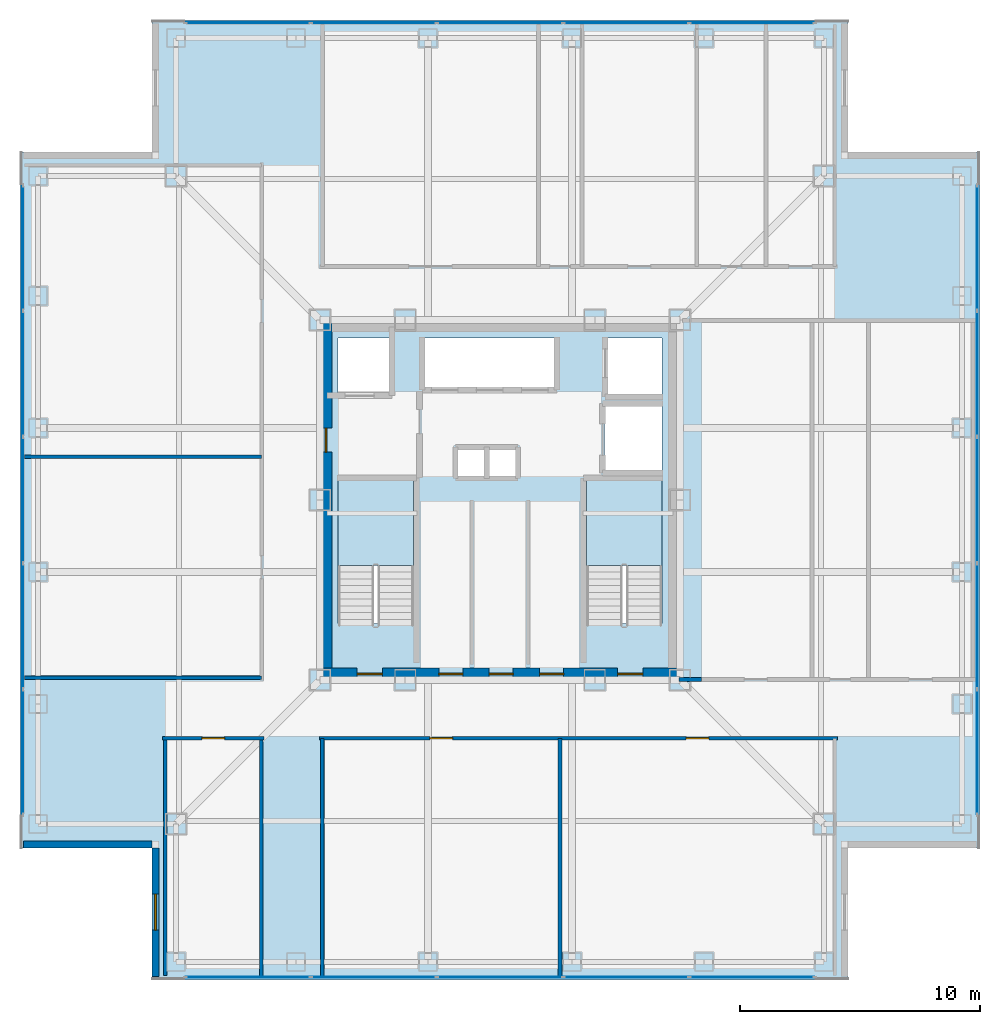
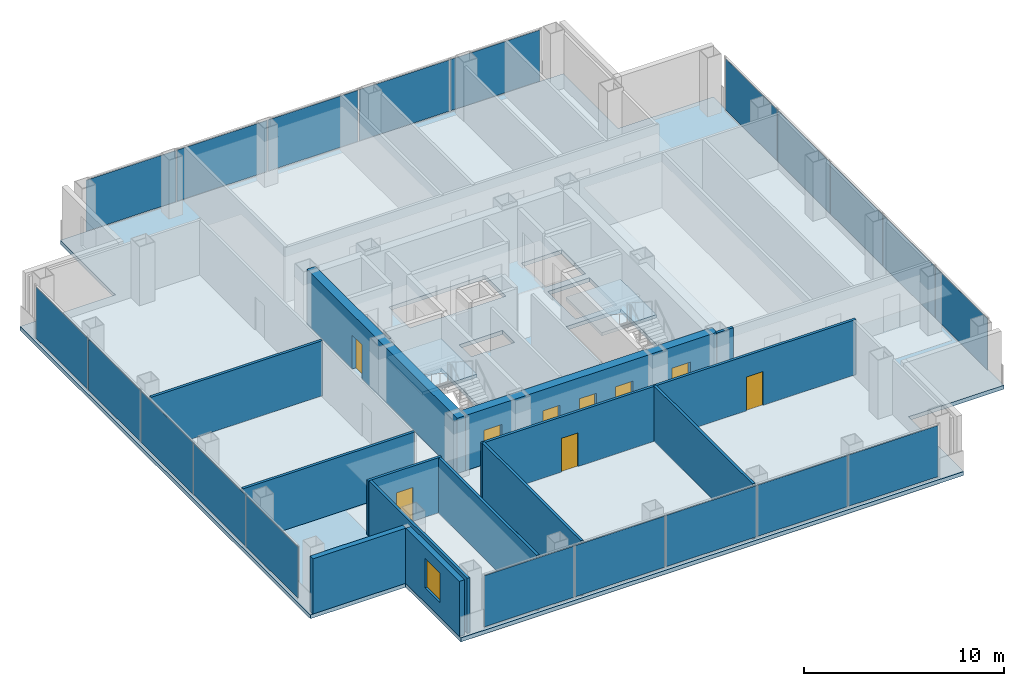
# One storey, part 10 of 18: 20 plates, 13 walls, 9 doors, 3 slabs, 1 window, 10 openings, 6 elements without a shape of their own.
"""IFC4 building model written with IfcOpenShell, lengths in metres."""

from ifc_helpers import new_model, si_unit, direction, frame, frame_2d, origin, origin_2d, place, context, subcontext, project, spatial, polyline, rectangle, outline, extrude, material, layer, layer_set, type_object, element, fill, aggregate, save


model = new_model("IFC4")

# Units and contexts
model_context = context("Model", 3, precision=1e-05, world=origin(), true_north=direction((0.0, 1.0)))
body_context = subcontext(model_context, "Body", "Model", "MODEL_VIEW")
ifc_project = project(units=[si_unit("LENGTHUNIT", "METRE"), si_unit("AREAUNIT", "SQUARE_METRE"), si_unit("VOLUMEUNIT", "CUBIC_METRE"), si_unit("PLANEANGLEUNIT", "RADIAN"), si_unit("MASSUNIT", "GRAM", prefix="KILO")], contexts=[model_context])

# Site, building, storey
site_placement = place(None, origin())
site = spatial("IfcSite", under=ifc_project, at=site_placement, CompositionType="ELEMENT")
building_placement = place(site_placement, origin())
building = spatial("IfcBuilding", under=site, at=building_placement, Name="Trevonay Congress Spire", CompositionType="ELEMENT")
storey_placement = place(building_placement, frame((0.0, 0.0, 220.199951171875)))
storey = spatial("IfcBuildingStorey", under=building, at=storey_placement, Name="L57", CompositionType="ELEMENT", Elevation=220.199951171875)

# Curtain wall, plates
ifc_material_1 = material(Name="Pale Anodised Aluminium EN AW-6063-T6", Category="aluminium")
ifc_layer_1 = layer(ifc_material_1, 0.169921875, Name="Pale Anodised Aluminium EN AW-6063-T6")
ifc_layer_set_1 = layer_set([ifc_layer_1], Name="Pale Anodised Aluminium EN AW-6063-T6")
curtain_wall_type = type_object("IfcCurtainWallType", Name="CW-SYS04-CORP-PALE-METAL", PredefinedType="NOTDEFINED", material=ifc_layer_set_1)
curtain_wall_1_placement = place(storey_placement, origin())
curtain_wall_1 = element("IfcCurtainWall", 1, at=curtain_wall_1_placement, inside=storey, type_object=curtain_wall_type, Name="L57 S unitised curtain wall", PredefinedType="NOTDEFINED")
ifc_material_2 = material(Name="Insulated Low-E Vision Glass IGU", Category="glass")
ifc_layer_2 = layer(ifc_material_2, 0.035888671875, Name="Insulated Low-E Vision Glass IGU")
ifc_layer_set_2 = layer_set([ifc_layer_2], Name="Insulated Low-E Vision Glass IGU")
plate_type = type_object("IfcPlateType", Name="CW-PANEL-IGU36-SILVER", PredefinedType="CURTAIN_PANEL", material=ifc_layer_set_2)
plate_1_placement = place(storey_placement, frame((-10.5048828125, -19.8798828125, 0.119873046875), z_axis=(0.0, 0.0, 1.0), x_axis=(1.0, 0.0, 0.0)))
plate_1 = element("IfcPlate", 2, at=plate_1_placement, type_object=plate_type, Name="CW04 panel 1.1", PredefinedType="CURTAIN_PANEL", context=body_context, shape_type="SweptSolid", body=[
    extrude(rectangle(XDim=5.169921875, YDim=0.035888671875, at=origin_2d()), origin(), (0.0, 0.0, 1.0), 3.1201171875),
])
plate_2_placement = place(storey_placement, frame((-5.260009765625, -19.8798828125, 0.119873046875), z_axis=(0.0, 0.0, 1.0), x_axis=(1.0, 0.0, 0.0)))
plate_2 = element("IfcPlate", 3, at=plate_2_placement, type_object=plate_type, Name="CW04 panel 2.1", PredefinedType="CURTAIN_PANEL", context=body_context, shape_type="SweptSolid", body=[
    extrude(rectangle(XDim=5.199951171875, YDim=0.035888671875, at=origin_2d()), origin(), (0.0, 0.0, 1.0), 3.1201171875),
])
plate_3_placement = place(storey_placement, frame((0.0, -19.8798828125, 0.119873046875), z_axis=(0.0, 0.0, 1.0), x_axis=(1.0, 0.0, 0.0)))
plate_3 = element("IfcPlate", 4, at=plate_3_placement, type_object=plate_type, Name="CW04 panel 3.1", PredefinedType="CURTAIN_PANEL", context=body_context, shape_type="SweptSolid", body=[
    extrude(rectangle(XDim=5.199951171875, YDim=0.035888671875, at=origin_2d()), origin(), (0.0, 0.0, 1.0), 3.1201171875),
])
plate_4_placement = place(storey_placement, frame((5.260009765625, -19.8798828125, 0.119873046875), z_axis=(0.0, 0.0, 1.0), x_axis=(1.0, 0.0, 0.0)))
plate_4 = element("IfcPlate", 5, at=plate_4_placement, type_object=plate_type, Name="CW04 panel 4.1", PredefinedType="CURTAIN_PANEL", context=body_context, shape_type="SweptSolid", body=[
    extrude(rectangle(XDim=5.199951171875, YDim=0.035888671875, at=origin_2d()), origin(), (0.0, 0.0, 1.0), 3.1201171875),
])
plate_5_placement = place(storey_placement, frame((10.5048828125, -19.8798828125, 0.119873046875), z_axis=(0.0, 0.0, 1.0), x_axis=(1.0, 0.0, 0.0)))
plate_5 = element("IfcPlate", 6, at=plate_5_placement, type_object=plate_type, Name="CW04 panel 5.1", PredefinedType="CURTAIN_PANEL", context=body_context, shape_type="SweptSolid", body=[
    extrude(rectangle(XDim=5.169921875, YDim=0.035888671875, at=origin_2d()), origin(), (0.0, 0.0, 1.0), 3.1201171875),
])
aggregate(curtain_wall_1, [plate_1, plate_2, plate_3, plate_4, plate_5])

curtain_wall_2_placement = place(storey_placement, origin())
curtain_wall_2 = element("IfcCurtainWall", 7, at=curtain_wall_2_placement, inside=storey, type_object=curtain_wall_type, Name="L57 N unitised curtain wall", PredefinedType="NOTDEFINED")
plate_6_placement = place(storey_placement, frame((-10.5048828125, 19.8798828125, 0.119873046875), z_axis=(0.0, 0.0, 1.0), x_axis=(1.0, 0.0, 0.0)))
plate_6 = element("IfcPlate", 8, at=plate_6_placement, type_object=plate_type, Name="CW04 panel 1.1", PredefinedType="CURTAIN_PANEL", context=body_context, shape_type="SweptSolid", body=[
    extrude(rectangle(XDim=5.169921875, YDim=0.035888671875, at=origin_2d()), origin(), (0.0, 0.0, 1.0), 3.1201171875),
])
plate_7_placement = place(storey_placement, frame((-5.260009765625, 19.8798828125, 0.119873046875), z_axis=(0.0, 0.0, 1.0), x_axis=(1.0, 0.0, 0.0)))
plate_7 = element("IfcPlate", 9, at=plate_7_placement, type_object=plate_type, Name="CW04 panel 2.1", PredefinedType="CURTAIN_PANEL", context=body_context, shape_type="SweptSolid", body=[
    extrude(rectangle(XDim=5.199951171875, YDim=0.035888671875, at=origin_2d()), origin(), (0.0, 0.0, 1.0), 3.1201171875),
])
plate_8_placement = place(storey_placement, frame((0.0, 19.8798828125, 0.119873046875), z_axis=(0.0, 0.0, 1.0), x_axis=(1.0, 0.0, 0.0)))
plate_8 = element("IfcPlate", 10, at=plate_8_placement, type_object=plate_type, Name="CW04 panel 3.1", PredefinedType="CURTAIN_PANEL", context=body_context, shape_type="SweptSolid", body=[
    extrude(rectangle(XDim=5.199951171875, YDim=0.035888671875, at=origin_2d()), origin(), (0.0, 0.0, 1.0), 3.1201171875),
])
plate_9_placement = place(storey_placement, frame((5.260009765625, 19.8798828125, 0.119873046875), z_axis=(0.0, 0.0, 1.0), x_axis=(1.0, 0.0, 0.0)))
plate_9 = element("IfcPlate", 11, at=plate_9_placement, type_object=plate_type, Name="CW04 panel 4.1", PredefinedType="CURTAIN_PANEL", context=body_context, shape_type="SweptSolid", body=[
    extrude(rectangle(XDim=5.199951171875, YDim=0.035888671875, at=origin_2d()), origin(), (0.0, 0.0, 1.0), 3.1201171875),
])
plate_10_placement = place(storey_placement, frame((10.5048828125, 19.8798828125, 0.119873046875), z_axis=(0.0, 0.0, 1.0), x_axis=(1.0, 0.0, 0.0)))
plate_10 = element("IfcPlate", 12, at=plate_10_placement, type_object=plate_type, Name="CW04 panel 5.1", PredefinedType="CURTAIN_PANEL", context=body_context, shape_type="SweptSolid", body=[
    extrude(rectangle(XDim=5.169921875, YDim=0.035888671875, at=origin_2d()), origin(), (0.0, 0.0, 1.0), 3.1201171875),
])
aggregate(curtain_wall_2, [plate_6, plate_7, plate_8, plate_9, plate_10])

curtain_wall_3_placement = place(storey_placement, origin())
curtain_wall_3 = element("IfcCurtainWall", 13, at=curtain_wall_3_placement, inside=storey, type_object=curtain_wall_type, Name="L57 W unitised curtain wall", PredefinedType="NOTDEFINED")
plate_11_placement = place(storey_placement, frame((-19.8798828125, -10.5048828125, 0.119873046875), z_axis=(0.0, 0.0, 1.0), x_axis=(0.0, 1.0, 0.0)))
plate_11 = element("IfcPlate", 14, at=plate_11_placement, type_object=plate_type, Name="CW04 panel 1.1", PredefinedType="CURTAIN_PANEL", context=body_context, shape_type="SweptSolid", body=[
    extrude(rectangle(XDim=5.169921875, YDim=0.035888671875, at=origin_2d()), origin(), (0.0, 0.0, 1.0), 3.1201171875),
])
plate_12_placement = place(storey_placement, frame((-19.8798828125, -5.260009765625, 0.119873046875), z_axis=(0.0, 0.0, 1.0), x_axis=(0.0, 1.0, 0.0)))
plate_12 = element("IfcPlate", 15, at=plate_12_placement, type_object=plate_type, Name="CW04 panel 2.1", PredefinedType="CURTAIN_PANEL", context=body_context, shape_type="SweptSolid", body=[
    extrude(rectangle(XDim=5.199951171875, YDim=0.035888671875, at=origin_2d()), origin(), (0.0, 0.0, 1.0), 3.1201171875),
])
plate_13_placement = place(storey_placement, frame((-19.8798828125, 0.0, 0.119873046875), z_axis=(0.0, 0.0, 1.0), x_axis=(0.0, 1.0, 0.0)))
plate_13 = element("IfcPlate", 16, at=plate_13_placement, type_object=plate_type, Name="CW04 panel 3.1", PredefinedType="CURTAIN_PANEL", context=body_context, shape_type="SweptSolid", body=[
    extrude(rectangle(XDim=5.199951171875, YDim=0.035888671875, at=origin_2d()), origin(), (0.0, 0.0, 1.0), 3.1201171875),
])
plate_14_placement = place(storey_placement, frame((-19.8798828125, 5.260009765625, 0.119873046875), z_axis=(0.0, 0.0, 1.0), x_axis=(0.0, 1.0, 0.0)))
plate_14 = element("IfcPlate", 17, at=plate_14_placement, type_object=plate_type, Name="CW04 panel 4.1", PredefinedType="CURTAIN_PANEL", context=body_context, shape_type="SweptSolid", body=[
    extrude(rectangle(XDim=5.199951171875, YDim=0.035888671875, at=origin_2d()), origin(), (0.0, 0.0, 1.0), 3.1201171875),
])
plate_15_placement = place(storey_placement, frame((-19.8798828125, 10.5048828125, 0.119873046875), z_axis=(0.0, 0.0, 1.0), x_axis=(0.0, 1.0, 0.0)))
plate_15 = element("IfcPlate", 18, at=plate_15_placement, type_object=plate_type, Name="CW04 panel 5.1", PredefinedType="CURTAIN_PANEL", context=body_context, shape_type="SweptSolid", body=[
    extrude(rectangle(XDim=5.169921875, YDim=0.035888671875, at=origin_2d()), origin(), (0.0, 0.0, 1.0), 3.1201171875),
])
aggregate(curtain_wall_3, [plate_11, plate_12, plate_13, plate_14, plate_15])

curtain_wall_4_placement = place(storey_placement, origin())
curtain_wall_4 = element("IfcCurtainWall", 19, at=curtain_wall_4_placement, inside=storey, type_object=curtain_wall_type, Name="L57 E unitised curtain wall", PredefinedType="NOTDEFINED")
plate_16_placement = place(storey_placement, frame((19.8798828125, -10.5048828125, 0.119873046875), z_axis=(0.0, 0.0, 1.0), x_axis=(0.0, 1.0, 0.0)))
plate_16 = element("IfcPlate", 20, at=plate_16_placement, type_object=plate_type, Name="CW04 panel 1.1", PredefinedType="CURTAIN_PANEL", context=body_context, shape_type="SweptSolid", body=[
    extrude(rectangle(XDim=5.169921875, YDim=0.035888671875, at=origin_2d()), origin(), (0.0, 0.0, 1.0), 3.1201171875),
])
plate_17_placement = place(storey_placement, frame((19.8798828125, -5.260009765625, 0.119873046875), z_axis=(0.0, 0.0, 1.0), x_axis=(0.0, 1.0, 0.0)))
plate_17 = element("IfcPlate", 21, at=plate_17_placement, type_object=plate_type, Name="CW04 panel 2.1", PredefinedType="CURTAIN_PANEL", context=body_context, shape_type="SweptSolid", body=[
    extrude(rectangle(XDim=5.199951171875, YDim=0.035888671875, at=origin_2d()), origin(), (0.0, 0.0, 1.0), 3.1201171875),
])
plate_18_placement = place(storey_placement, frame((19.8798828125, 0.0, 0.119873046875), z_axis=(0.0, 0.0, 1.0), x_axis=(0.0, 1.0, 0.0)))
plate_18 = element("IfcPlate", 22, at=plate_18_placement, type_object=plate_type, Name="CW04 panel 3.1", PredefinedType="CURTAIN_PANEL", context=body_context, shape_type="SweptSolid", body=[
    extrude(rectangle(XDim=5.199951171875, YDim=0.035888671875, at=origin_2d()), origin(), (0.0, 0.0, 1.0), 3.1201171875),
])
plate_19_placement = place(storey_placement, frame((19.8798828125, 5.260009765625, 0.119873046875), z_axis=(0.0, 0.0, 1.0), x_axis=(0.0, 1.0, 0.0)))
plate_19 = element("IfcPlate", 23, at=plate_19_placement, type_object=plate_type, Name="CW04 panel 4.1", PredefinedType="CURTAIN_PANEL", context=body_context, shape_type="SweptSolid", body=[
    extrude(rectangle(XDim=5.199951171875, YDim=0.035888671875, at=origin_2d()), origin(), (0.0, 0.0, 1.0), 3.1201171875),
])
plate_20_placement = place(storey_placement, frame((19.8798828125, 10.5048828125, 0.119873046875), z_axis=(0.0, 0.0, 1.0), x_axis=(0.0, 1.0, 0.0)))
plate_20 = element("IfcPlate", 24, at=plate_20_placement, type_object=plate_type, Name="CW04 panel 5.1", PredefinedType="CURTAIN_PANEL", context=body_context, shape_type="SweptSolid", body=[
    extrude(rectangle(XDim=5.169921875, YDim=0.035888671875, at=origin_2d()), origin(), (0.0, 0.0, 1.0), 3.1201171875),
])
aggregate(curtain_wall_4, [plate_16, plate_17, plate_18, plate_19, plate_20])

# Stair, slab
ifc_material_3 = material(Name="Concrete C40/50", Category="concrete")
stair_type_1 = type_object("IfcStairType", Name="STR-ST-1", PredefinedType="HALF_TURN_STAIR", material=ifc_material_3)
stair_1_placement = place(storey_placement, origin())
stair_1 = element("IfcStair", 25, at=stair_1_placement, inside=storey, type_object=stair_type_1, Name="L57 Protected Exit Stair ST-1", PredefinedType="HALF_TURN_STAIR")
ifc_layer_3 = layer(ifc_material_3, 0.199951171875, Name="Concrete C40/50")
ifc_layer_set_3 = layer_set([ifc_layer_3], Name="Concrete C40/50")
slab_type_1 = type_object("IfcSlabType", Name="SLB-STAIR-LAND-200", PredefinedType="LANDING", material=ifc_layer_set_3)
slab_1_placement = place(storey_placement, frame((0.0, 0.0, 1.60009765625)))
slab_1 = element("IfcSlab", 26, at=slab_1_placement, type_object=slab_type_1, Name="ST-1 landing 1", PredefinedType="LANDING", context=body_context, shape_type="SweptSolid", body=[
    extrude(outline(polyline([(-3.60009765625, -2.72998046875), (-3.60009765625, 0.85009765625), (-6.75, 0.85009765625), (-6.75, -2.72998046875), (-3.60009765625, -2.72998046875)])), origin(), (0.0, 0.0, 1.0), 0.199951171875),
])
aggregate(stair_1, [slab_1])

stair_type_2 = type_object("IfcStairType", Name="STR-ST-2", PredefinedType="HALF_TURN_STAIR", material=ifc_material_3)
stair_2_placement = place(storey_placement, origin())
stair_2 = element("IfcStair", 27, at=stair_2_placement, inside=storey, type_object=stair_type_2, Name="L57 Protected Exit Stair ST-2", PredefinedType="HALF_TURN_STAIR")
slab_2_placement = place(storey_placement, frame((0.0, 0.0, 1.60009765625)))
slab_2 = element("IfcSlab", 28, at=slab_2_placement, type_object=slab_type_1, Name="ST-2 landing 1", PredefinedType="LANDING", context=body_context, shape_type="SweptSolid", body=[
    extrude(outline(polyline([(6.75, -2.72998046875), (6.75, 0.85009765625), (3.60009765625, 0.85009765625), (3.60009765625, -2.72998046875), (6.75, -2.72998046875)])), origin(), (0.0, 0.0, 1.0), 0.199951171875),
])
aggregate(stair_2, [slab_2])

# Slab
ifc_layer_4 = layer(ifc_material_3, 0.239990234375, Name="Concrete C40/50")
ifc_layer_set_4 = layer_set([ifc_layer_4], Name="Concrete C40/50")
slab_type_2 = type_object("IfcSlabType", Name="SLB-TOW2-240", PredefinedType="FLOOR", material=ifc_layer_set_4)
slab_3_placement = place(storey_placement, frame((0.0, 0.0, -0.239990234375)))
element("IfcSlab", 29, at=slab_3_placement, inside=storey, type_object=slab_type_2, Name="L57 structural floor slab", PredefinedType="FLOOR", context=body_context, shape_type="SweptSolid", body=[
    extrude(outline(polyline([(-14.5, -20.0), (14.5, -20.0), (14.5, -14.5), (20.0, -14.5), (20.0, 14.5), (14.5, 14.5), (14.5, 20.0), (-14.5, 20.0), (-14.5, 14.5), (-20.0, 14.5), (-20.0, -14.5), (-14.5, -14.5), (-14.5, -20.0)]), holes=[polyline([(-3.60009765625, -5.14990234375), (-3.60009765625, 0.85009765625), (-6.75, 0.85009765625), (-6.75, -5.14990234375), (-3.60009765625, -5.14990234375)]), polyline([(6.75, -5.14990234375), (6.75, 0.85009765625), (3.60009765625, 0.85009765625), (3.60009765625, -5.14990234375), (6.75, -5.14990234375)]), polyline([(-3.199951171875, 4.64990234375), (2.340087890625, 4.64990234375), (2.340087890625, 6.75), (-3.199951171875, 6.75), (-3.199951171875, 4.64990234375)]), polyline([(-6.75, 4.35009765625), (-4.449951171875, 4.35009765625), (-4.449951171875, 6.75), (-6.75, 6.75), (-6.75, 4.35009765625)]), polyline([(4.449951171875, 4.35009765625), (6.75, 4.35009765625), (6.75, 6.75), (4.449951171875, 6.75), (4.449951171875, 4.35009765625)]), polyline([(4.35009765625, 1.199951171875), (6.75, 1.199951171875), (6.75, 3.949951171875), (4.35009765625, 3.949951171875), (4.35009765625, 1.199951171875)]), polyline([(-1.800048828125, 0.949951171875), (0.699951171875, 0.949951171875), (0.699951171875, 2.14990234375), (-1.800048828125, 2.14990234375), (-1.800048828125, 0.949951171875)])]), origin(), (0.0, 0.0, 1.0), 0.239990234375),
])

# Wall, openings, doors
ifc_material_4 = material(Name="Concrete C50/60", Category="concrete")
ifc_layer_5 = layer(ifc_material_4, 0.5, Name="Concrete C50/60")
ifc_layer_set_5 = layer_set([ifc_layer_5], Name="Concrete C50/60")
wall_type_1 = type_object("IfcWallType", Name="WAL-CORE-500", PredefinedType="SHEAR", material=ifc_layer_set_5)
wall_1_placement = place(storey_placement, frame((-7.5, -7.25, 0.0), z_axis=(0.0, 0.0, 1.0), x_axis=(1.0, 0.0, 0.0)))
wall_1 = element("IfcWall", 30, at=wall_1_placement, inside=storey, type_object=wall_type_1, Name="L57 South structural core shear wall", PredefinedType="SHEAR", context=body_context, shape_type="SweptSolid", body=[
    extrude(rectangle(XDim=15.0, YDim=0.5, at=frame_2d((7.5, 0.0))), origin(), (0.0, 0.0, 1.0), 3.360107421875),
])
opening_1_placement = place(wall_1_placement, frame((1.550048828125, 0.0, 0.0)))
opening_1 = element("IfcOpeningElement", 31, at=opening_1_placement, cuts=wall_1, Name="Opening D05", PredefinedType="OPENING", context=body_context, shape_type="SweptSolid", body=[
    extrude(rectangle(XDim=1.050048828125, YDim=2.080078125, at=frame_2d((0.52490234375, 1.0400390625))), frame((0.0, 0.260009765625, 0.0), z_axis=(0.0, -1.0, 0.0), x_axis=(1.0, 0.0, 0.0)), (0.0, 0.0, 1.0), 0.52001953125),
])
opening_2_placement = place(wall_1_placement, frame((12.39990234375, 0.0, 0.0)))
opening_2 = element("IfcOpeningElement", 32, at=opening_2_placement, cuts=wall_1, Name="Opening D05", PredefinedType="OPENING", context=body_context, shape_type="SweptSolid", body=[
    extrude(rectangle(XDim=1.050048828125, YDim=2.080078125, at=frame_2d((0.52490234375, 1.0400390625))), frame((0.0, 0.260009765625, 0.0), z_axis=(0.0, -1.0, 0.0), x_axis=(1.0, 0.0, 0.0)), (0.0, 0.0, 1.0), 0.52001953125),
])
opening_3_placement = place(wall_1_placement, frame((4.949951171875, 0.0, 0.0)))
opening_3 = element("IfcOpeningElement", 33, at=opening_3_placement, cuts=wall_1, Name="Opening D06", PredefinedType="OPENING", context=body_context, shape_type="SweptSolid", body=[
    extrude(rectangle(XDim=1.0, YDim=2.080078125, at=frame_2d((0.5, 1.0400390625))), frame((0.0, 0.260009765625, 0.0), z_axis=(0.0, -1.0, 0.0), x_axis=(1.0, 0.0, 0.0)), (0.0, 0.0, 1.0), 0.52001953125),
])
opening_4_placement = place(wall_1_placement, frame((7.050048828125, 0.0, 0.0)))
opening_4 = element("IfcOpeningElement", 34, at=opening_4_placement, cuts=wall_1, Name="Opening D06", PredefinedType="OPENING", context=body_context, shape_type="SweptSolid", body=[
    extrude(rectangle(XDim=1.0, YDim=2.080078125, at=frame_2d((0.5, 1.0400390625))), frame((0.0, 0.260009765625, 0.0), z_axis=(0.0, -1.0, 0.0), x_axis=(1.0, 0.0, 0.0)), (0.0, 0.0, 1.0), 0.52001953125),
])
opening_5_placement = place(wall_1_placement, frame((9.14990234375, 0.0, 0.0)))
opening_5 = element("IfcOpeningElement", 35, at=opening_5_placement, cuts=wall_1, Name="Opening D06", PredefinedType="OPENING", context=body_context, shape_type="SweptSolid", body=[
    extrude(rectangle(XDim=1.0, YDim=2.080078125, at=frame_2d((0.5, 1.0400390625))), frame((0.0, 0.260009765625, 0.0), z_axis=(0.0, -1.0, 0.0), x_axis=(1.0, 0.0, 0.0)), (0.0, 0.0, 1.0), 0.52001953125),
])
ifc_material_5 = material(Name="Steel ASTM A572 Grade 50", Category="steel")
door_type_1 = type_object("IfcDoorType", Name="DOR-FIRE-100", OperationType="NOTDEFINED", PredefinedType="DOOR", material=ifc_material_5)
door_1_placement = place(opening_3_placement, origin())
door_1 = element("IfcDoor", 36, at=door_1_placement, inside=storey, type_object=door_type_1, Name="L57 South Core Room 1 Door", OperationType="SINGLE_SWING_RIGHT", OverallHeight=2.080078125, OverallWidth=1.0, PredefinedType="DOOR", context=body_context, shape_type="SweptSolid", body=[
    extrude(rectangle(XDim=1.0, YDim=2.080078125, at=frame_2d((0.5, 1.0400390625))), frame((0.0, 0.02490234375, 0.0), z_axis=(0.0, -1.0, 0.0), x_axis=(1.0, 0.0, 0.0)), (0.0, 0.0, 1.0), 0.050048828125),
])
fill(opening_3, door_1)
door_2_placement = place(opening_4_placement, origin())
door_2 = element("IfcDoor", 37, at=door_2_placement, inside=storey, type_object=door_type_1, Name="L57 South Core Room 2 Door", OperationType="SINGLE_SWING_LEFT", OverallHeight=2.080078125, OverallWidth=1.0, PredefinedType="DOOR", context=body_context, shape_type="SweptSolid", body=[
    extrude(rectangle(XDim=1.0, YDim=2.080078125, at=frame_2d((0.5, 1.0400390625))), frame((0.0, 0.02490234375, 0.0), z_axis=(0.0, -1.0, 0.0), x_axis=(1.0, 0.0, 0.0)), (0.0, 0.0, 1.0), 0.050048828125),
])
fill(opening_4, door_2)
door_3_placement = place(opening_5_placement, origin())
door_3 = element("IfcDoor", 38, at=door_3_placement, inside=storey, type_object=door_type_1, Name="L57 South Core Room 3 Door", OperationType="SINGLE_SWING_RIGHT", OverallHeight=2.080078125, OverallWidth=1.0, PredefinedType="DOOR", context=body_context, shape_type="SweptSolid", body=[
    extrude(rectangle(XDim=1.0, YDim=2.080078125, at=frame_2d((0.5, 1.0400390625))), frame((0.0, 0.02490234375, 0.0), z_axis=(0.0, -1.0, 0.0), x_axis=(1.0, 0.0, 0.0)), (0.0, 0.0, 1.0), 0.050048828125),
])
fill(opening_5, door_3)
door_type_2 = type_object("IfcDoorType", Name="DOR-STAIR-110", OperationType="NOTDEFINED", PredefinedType="DOOR", material=ifc_material_5)
door_4_placement = place(opening_1_placement, origin())
door_4 = element("IfcDoor", 39, at=door_4_placement, inside=storey, type_object=door_type_2, Name="L57 Protected Stair ST-1 Door", OperationType="SINGLE_SWING_LEFT", OverallHeight=2.080078125, OverallWidth=1.050048828125, PredefinedType="DOOR", context=body_context, shape_type="SweptSolid", body=[
    extrude(rectangle(XDim=1.050048828125, YDim=2.080078125, at=frame_2d((0.52490234375, 1.0400390625))), frame((0.0, 0.02490234375, 0.0), z_axis=(0.0, -1.0, 0.0), x_axis=(1.0, 0.0, 0.0)), (0.0, 0.0, 1.0), 0.050048828125),
])
fill(opening_1, door_4)
door_5_placement = place(opening_2_placement, origin())
door_5 = element("IfcDoor", 40, at=door_5_placement, inside=storey, type_object=door_type_2, Name="L57 Protected Stair ST-2 Door", OperationType="SINGLE_SWING_RIGHT", OverallHeight=2.080078125, OverallWidth=1.050048828125, PredefinedType="DOOR", context=body_context, shape_type="SweptSolid", body=[
    extrude(rectangle(XDim=1.050048828125, YDim=2.080078125, at=frame_2d((0.52490234375, 1.0400390625))), frame((0.0, 0.02490234375, 0.0), z_axis=(0.0, -1.0, 0.0), x_axis=(1.0, 0.0, 0.0)), (0.0, 0.0, 1.0), 0.050048828125),
])
fill(opening_2, door_5)

# Wall, opening, door
wall_2_placement = place(storey_placement, frame((-7.25, -7.5, 0.0), z_axis=(0.0, 0.0, 1.0), x_axis=(0.0, 1.0, 0.0)))
wall_2 = element("IfcWall", 41, at=wall_2_placement, inside=storey, type_object=wall_type_1, Name="L57 West structural core shear wall", PredefinedType="SHEAR", context=body_context, shape_type="SweptSolid", body=[
    extrude(rectangle(XDim=15.0, YDim=0.5, at=frame_2d((7.5, 0.0))), origin(), (0.0, 0.0, 1.0), 3.360107421875),
])
opening_6_placement = place(wall_2_placement, frame((9.5, 0.0, 0.0)))
opening_6 = element("IfcOpeningElement", 42, at=opening_6_placement, cuts=wall_2, Name="Opening D06", PredefinedType="OPENING", context=body_context, shape_type="SweptSolid", body=[
    extrude(rectangle(XDim=1.0, YDim=2.080078125, at=frame_2d((0.5, 1.0400390625))), frame((0.0, 0.260009765625, 0.0), z_axis=(0.0, -1.0, 0.0), x_axis=(1.0, 0.0, 0.0)), (0.0, 0.0, 1.0), 0.52001953125),
])
door_6_placement = place(opening_6_placement, origin())
door_6 = element("IfcDoor", 43, at=door_6_placement, inside=storey, type_object=door_type_1, Name="L57 Firefighting Lift Lobby West Corridor Door", OperationType="SINGLE_SWING_LEFT", OverallHeight=2.080078125, OverallWidth=1.0, PredefinedType="DOOR", context=body_context, shape_type="SweptSolid", body=[
    extrude(rectangle(XDim=1.0, YDim=2.080078125, at=frame_2d((0.5, 1.0400390625))), frame((0.0, 0.02490234375, 0.0), z_axis=(0.0, -1.0, 0.0), x_axis=(1.0, 0.0, 0.0)), (0.0, 0.0, 1.0), 0.050048828125),
])
fill(opening_6, door_6)

ifc_layer_6 = layer(ifc_material_3, 0.14990234375, Name="Concrete C40/50")
ifc_layer_set_6 = layer_set([ifc_layer_6], Name="Concrete C40/50")
wall_type_2 = type_object("IfcWallType", Name="WAL-CORR-150", PredefinedType="PARTITIONING", material=ifc_layer_set_6)
wall_3_placement = place(storey_placement, frame((-14.070068359375, -9.929931640625, 0.0), z_axis=(0.0, 0.0, 1.0), x_axis=(1.0, 0.0, 0.0)))
wall_3 = element("IfcWall", 44, at=wall_3_placement, inside=storey, type_object=wall_type_2, Name="L57 interior wall WP-L57SW-COR", PredefinedType="PARTITIONING", context=body_context, shape_type="SweptSolid", body=[
    extrude(rectangle(XDim=4.239990234375, YDim=0.14990234375, at=frame_2d((2.1201171875, 0.0))), origin(), (0.0, 0.0, 1.0), 3.360107421875),
])
opening_7_placement = place(wall_3_placement, frame((1.64501953125, 0.0, 0.0)))
opening_7 = element("IfcOpeningElement", 45, at=opening_7_placement, cuts=wall_3, Name="Opening D07", PredefinedType="OPENING", context=body_context, shape_type="SweptSolid", body=[
    extrude(rectangle(XDim=0.949951171875, YDim=2.06005859375, at=frame_2d((0.47509765625, 1.030029296875))), frame((0.0, 0.0849609375, 0.0), z_axis=(0.0, -1.0, 0.0), x_axis=(1.0, 0.0, 0.0)), (0.0, 0.0, 1.0), 0.169921875),
])
door_type_3 = type_object("IfcDoorType", Name="DOR-OFFICE-95", OperationType="NOTDEFINED", PredefinedType="DOOR", material=ifc_material_1)
door_7_placement = place(opening_7_placement, origin())
door_7 = element("IfcDoor", 46, at=door_7_placement, inside=storey, type_object=door_type_3, Name="L57 VIP Buyer Reception Salon Door", OperationType="SINGLE_SWING_RIGHT", OverallHeight=2.06005859375, OverallWidth=0.949951171875, PredefinedType="DOOR", context=body_context, shape_type="SweptSolid", body=[
    extrude(rectangle(XDim=0.949951171875, YDim=2.06005859375, at=frame_2d((0.47509765625, 1.030029296875))), frame((0.0, 0.02490234375, 0.0), z_axis=(0.0, -1.0, 0.0), x_axis=(1.0, 0.0, 0.0)), (0.0, 0.0, 1.0), 0.050048828125),
])
fill(opening_7, door_7)

# Wall, openings, doors
wall_4_placement = place(storey_placement, frame((-7.52001953125, -9.929931640625, 0.0), z_axis=(0.0, 0.0, 1.0), x_axis=(1.0, 0.0, 0.0)))
wall_4 = element("IfcWall", 47, at=wall_4_placement, inside=storey, type_object=wall_type_2, Name="L57 interior wall WP-L57SE-COR", PredefinedType="PARTITIONING", context=body_context, shape_type="SweptSolid", body=[
    extrude(rectangle(XDim=21.590087890625, YDim=0.14990234375, at=frame_2d((10.794921875, 0.0))), origin(), (0.0, 0.0, 1.0), 3.360107421875),
])
opening_8_placement = place(wall_4_placement, frame((4.594970703125, 0.0, 0.0)))
opening_8 = element("IfcOpeningElement", 48, at=opening_8_placement, cuts=wall_4, Name="Opening D07", PredefinedType="OPENING", context=body_context, shape_type="SweptSolid", body=[
    extrude(rectangle(XDim=0.949951171875, YDim=2.06005859375, at=frame_2d((0.47509765625, 1.030029296875))), frame((0.0, 0.0849609375, 0.0), z_axis=(0.0, -1.0, 0.0), x_axis=(1.0, 0.0, 0.0)), (0.0, 0.0, 1.0), 0.169921875),
])
opening_9_placement = place(wall_4_placement, frame((15.27001953125, 0.0, 0.0)))
opening_9 = element("IfcOpeningElement", 49, at=opening_9_placement, cuts=wall_4, Name="Opening D07", PredefinedType="OPENING", context=body_context, shape_type="SweptSolid", body=[
    extrude(rectangle(XDim=0.949951171875, YDim=2.06005859375, at=frame_2d((0.47509765625, 1.030029296875))), frame((0.0, 0.0849609375, 0.0), z_axis=(0.0, -1.0, 0.0), x_axis=(1.0, 0.0, 0.0)), (0.0, 0.0, 1.0), 0.169921875),
])
door_8_placement = place(opening_8_placement, origin())
door_8 = element("IfcDoor", 50, at=door_8_placement, inside=storey, type_object=door_type_3, Name="L57 Brazilian Design Flagship Showroom Shop Door", OperationType="SINGLE_SWING_LEFT", OverallHeight=2.06005859375, OverallWidth=0.949951171875, PredefinedType="DOOR", context=body_context, shape_type="SweptSolid", body=[
    extrude(rectangle(XDim=0.949951171875, YDim=2.06005859375, at=frame_2d((0.47509765625, 1.030029296875))), frame((0.0, 0.02490234375, 0.0), z_axis=(0.0, -1.0, 0.0), x_axis=(1.0, 0.0, 0.0)), (0.0, 0.0, 1.0), 0.050048828125),
])
fill(opening_8, door_8)
door_9_placement = place(opening_9_placement, origin())
door_9 = element("IfcDoor", 51, at=door_9_placement, inside=storey, type_object=door_type_3, Name="L57 Export Craft Boutique Shop Door", OperationType="SINGLE_SWING_RIGHT", OverallHeight=2.06005859375, OverallWidth=0.949951171875, PredefinedType="DOOR", context=body_context, shape_type="SweptSolid", body=[
    extrude(rectangle(XDim=0.949951171875, YDim=2.06005859375, at=frame_2d((0.47509765625, 1.030029296875))), frame((0.0, 0.02490234375, 0.0), z_axis=(0.0, -1.0, 0.0), x_axis=(1.0, 0.0, 0.0)), (0.0, 0.0, 1.0), 0.050048828125),
])
fill(opening_9, door_9)

# Wall
wall_5_placement = place(storey_placement, frame((7.449951171875, -7.47998046875, 0.0), z_axis=(0.0, 0.0, 1.0), x_axis=(1.0, 0.0, 0.0)))
element("IfcWall", 52, at=wall_5_placement, inside=storey, type_object=wall_type_2, Name="L57 interior wall WP-L57E-STUB", PredefinedType="PARTITIONING", context=body_context, shape_type="SweptSolid", body=[
    extrude(rectangle(XDim=0.949951171875, YDim=0.14990234375, at=frame_2d((0.47509765625, 0.0))), origin(), (0.0, 0.0, 1.0), 3.360107421875),
])

# Wall, opening, window
ifc_material_6 = material(Name="Precast concrete C40/50", Category="concrete")
ifc_layer_7 = layer(ifc_material_6, 0.300048828125, Name="Precast concrete C40/50")
ifc_layer_set_7 = layer_set([ifc_layer_7], Name="Precast concrete C40/50")
wall_type_3 = type_object("IfcWallType", Name="WAL-EXT-PRECAST-300", PredefinedType="SOLIDWALL", material=ifc_layer_set_7)
wall_6_placement = place(storey_placement, frame((-14.35009765625, -19.85009765625, 0.0), z_axis=(0.0, 0.0, 1.0), x_axis=(0.0, 1.0, 0.0)))
wall_6 = element("IfcWall", 53, at=wall_6_placement, inside=storey, type_object=wall_type_3, Name="L57 SW re-entrant notch exterior wall 1", PredefinedType="SOLIDWALL", context=body_context, shape_type="SweptSolid", body=[
    extrude(rectangle(XDim=5.35009765625, YDim=0.300048828125, at=frame_2d((2.675048828125, 0.0))), origin(), (0.0, 0.0, 1.0), 3.360107421875),
])
opening_10_placement = place(wall_6_placement, frame((1.925048828125, 0.0, 0.89990234375)))
opening_10 = element("IfcOpeningElement", 54, at=opening_10_placement, cuts=wall_6, Name="Opening WN03", PredefinedType="OPENING", context=body_context, shape_type="SweptSolid", body=[
    extrude(rectangle(XDim=1.5, YDim=1.800048828125, at=frame_2d((0.75, 0.89990234375))), frame((0.0, 0.16015625, 0.0), z_axis=(0.0, -1.0, 0.0), x_axis=(1.0, 0.0, 0.0)), (0.0, 0.0, 1.0), 0.320068359375),
])
window_type = type_object("IfcWindowType", Name="WIN-NOTCH-150X180", PartitioningType="SINGLE_PANEL", PredefinedType="WINDOW", material=ifc_material_2)
window_placement = place(opening_10_placement, origin())
window = element("IfcWindow", 55, at=window_placement, inside=storey, type_object=window_type, Name="L57 SW corner notch window", OverallHeight=1.800048828125, OverallWidth=1.5, PartitioningType="SINGLE_PANEL", PredefinedType="WINDOW", context=body_context, shape_type="SweptSolid", body=[
    extrude(rectangle(XDim=1.5, YDim=1.800048828125, at=frame_2d((0.75, 0.89990234375))), frame((0.0, 0.030029296875, 0.0), z_axis=(0.0, -1.0, 0.0), x_axis=(1.0, 0.0, 0.0)), (0.0, 0.0, 1.0), 0.06005859375),
])
fill(opening_10, window)

# Walls
wall_7_placement = place(storey_placement, frame((-19.85009765625, -14.35009765625, 0.0), z_axis=(0.0, 0.0, 1.0), x_axis=(1.0, 0.0, 0.0)))
element("IfcWall", 56, at=wall_7_placement, inside=storey, type_object=wall_type_3, Name="L57 SW re-entrant notch exterior wall 2", PredefinedType="SOLIDWALL", context=body_context, shape_type="SweptSolid", body=[
    extrude(rectangle(XDim=5.35009765625, YDim=0.300048828125, at=frame_2d((2.675048828125, 0.0))), origin(), (0.0, 0.0, 1.0), 3.360107421875),
])
ifc_layer_8 = layer(ifc_material_3, 0.14990234375, Name="Concrete C40/50")
ifc_layer_set_8 = layer_set([ifc_layer_8], Name="Concrete C40/50")
wall_type_4 = type_object("IfcWallType", Name="WAL-PART-150", PredefinedType="PARTITIONING", material=ifc_layer_set_8)
for number, where, z_axis, x_axis, name in (
    (57, (-13.949951171875, -19.820068359375, 0.0), (0.0, 0.0, 1.0), (0.0, 1.0, 0.0), "L57 interior wall WP-L57SW-DIV1"),
    (58, (-9.949951171875, -19.820068359375, 0.0), (0.0, 0.0, 1.0), (0.0, 1.0, 0.0), "L57 interior wall WP-L57SW-DIV2"),
    (59, (-7.39990234375, -19.820068359375, 0.0), (0.0, 0.0, 1.0), (0.0, 1.0, 0.0), "L57 interior wall WP-L57SE-DIV1"),
    (60, (2.5, -19.820068359375, 0.0), (0.0, 0.0, 1.0), (0.0, 1.0, 0.0), "L57 interior wall WP-L57SE-DIV2"),
    (61, (-19.820068359375, -7.39990234375, 0.0), (0.0, 0.0, 1.0), (1.0, 0.0, 0.0), "L57 interior wall WP-L57NW-DIV1"),
    (62, (-19.820068359375, 1.800048828125, 0.0), (0.0, 0.0, 1.0), (1.0, 0.0, 0.0), "L57 interior wall WP-L57NW-DIV2"),
):
    element("IfcWall", number, at=place(storey_placement, frame(where, z_axis=z_axis, x_axis=x_axis)), inside=storey, type_object=wall_type_4, Name=name, PredefinedType="PARTITIONING", context=body_context, shape_type="SweptSolid", body=[
        extrude(rectangle(XDim=9.89013671875, YDim=0.14990234375, at=frame_2d((4.945068359375, 0.0))), origin(), (0.0, 0.0, 1.0), 3.360107421875),
    ])

save(model, "model.ifc")
